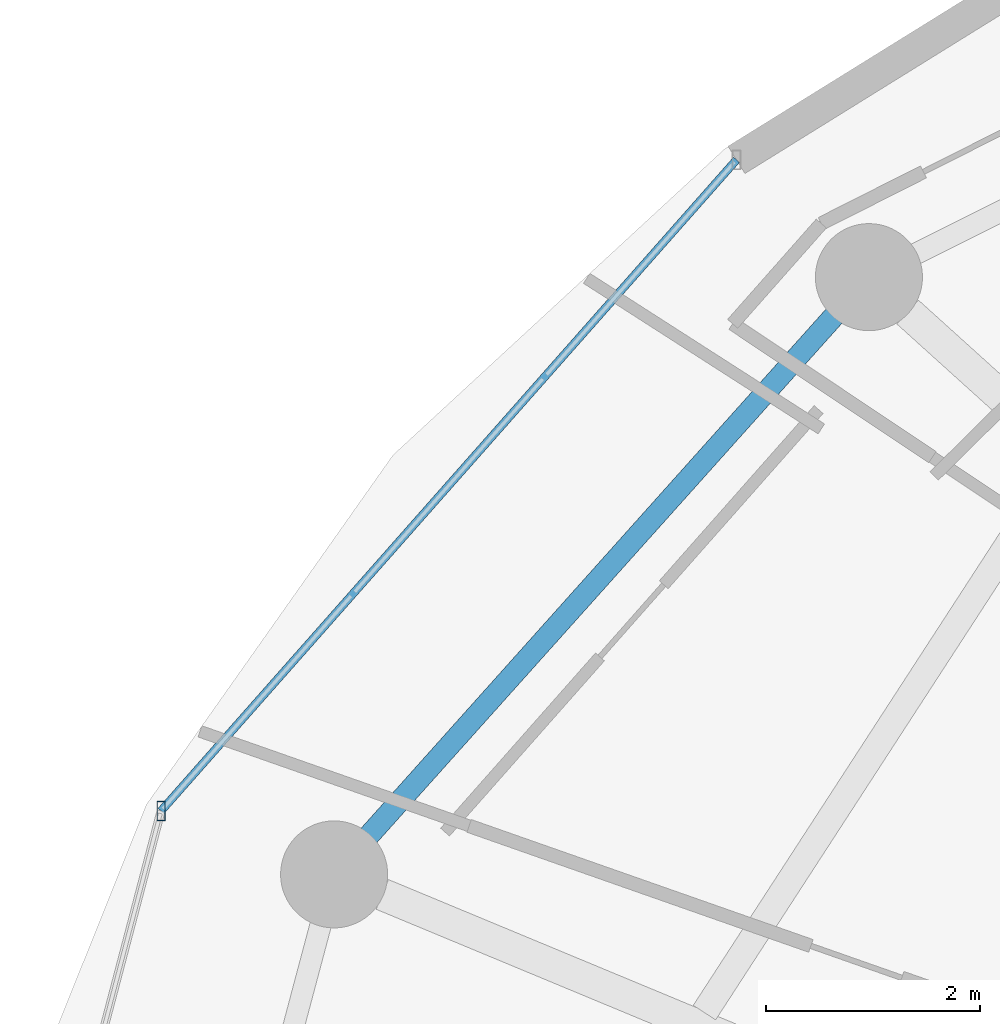
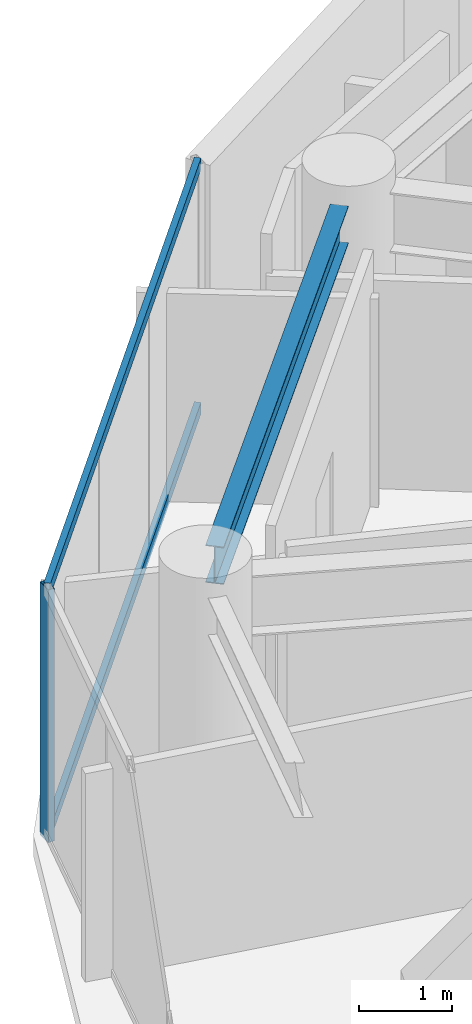
# One storey, part 8 of 28: 3 members, 1 beam, 1 element without a shape of its own.
"""IFC4 building model written with IfcOpenShell, lengths in metres."""

from ifc_helpers import new_model, si_unit, direction, frame, origin, origin_2d, place, context, subcontext, project, spatial, hollow_rectangle, i_section, extrude, material, material_profile, profile_set, type_object, element, aggregate, save


model = new_model("IFC4")

# Units and contexts
model_context = context("Model", 3, precision=1e-05, world=origin(), true_north=direction((0.0, 1.0)))
body_context = subcontext(model_context, "Body", "Model", "MODEL_VIEW")
ifc_project = project(units=[si_unit("LENGTHUNIT", "METRE"), si_unit("AREAUNIT", "SQUARE_METRE"), si_unit("VOLUMEUNIT", "CUBIC_METRE"), si_unit("PLANEANGLEUNIT", "RADIAN"), si_unit("MASSUNIT", "GRAM", prefix="KILO")], contexts=[model_context])

# Site, building, storey
site_placement = place(None, origin())
site = spatial("IfcSite", under=ifc_project, at=site_placement, CompositionType="ELEMENT")
building_placement = place(site_placement, origin())
building = spatial("IfcBuilding", under=site, at=building_placement, Name="Vorneva Point Tower", CompositionType="ELEMENT")
storey_placement = place(building_placement, frame((0.0, 0.0, 160.60009765625)))
storey = spatial("IfcBuildingStorey", under=building, at=storey_placement, Name="L43", CompositionType="ELEMENT", Elevation=160.60009765625)

# Beam
ifc_material_1 = material(Name="Steel S355", Category="steel")
ifc_material_profile_1 = material_profile(ifc_material_1, i_section(OverallWidth=0.199951171875, OverallDepth=0.491943359375, WebThickness=0.0087890625, FlangeThickness=0.011962890625, at=origin_2d()), Name="50B1")
ifc_profile_set_1 = profile_set([ifc_material_profile_1], Name="Steel S355")
beam_type = type_object("IfcBeamType", Name="BM-SPN-50B1", PredefinedType="SPANDREL", material=ifc_profile_set_1)
beam_placement = place(storey_placement, frame((21.377685546875, 37.80078125, 2.993896484375), z_axis=(-0.667111118975, -0.74495822362, 0.0), x_axis=(0.74495822362, -0.667111118975, 0.0)))
element("IfcBeam", 1, at=beam_placement, inside=storey, type_object=beam_type, Name="L43 Perimeter Spandrel Ring Beam 07", PredefinedType="SPANDREL", context=body_context, shape_type="SweptSolid", body=[
    extrude(i_section(OverallWidth=0.199951171875, OverallDepth=0.491943359375, WebThickness=0.0087890625, FlangeThickness=0.011962890625, at=origin_2d()), origin(), (0.0, 0.0, 1.0), 6.52001953125),
])

# Curtain wall, members
ifc_material_2 = material(Name="Pale anodised aluminium", Category="aluminium")
curtain_wall_type = type_object("IfcCurtainWallType", Name="CW-RES-SYS", PredefinedType="NOTDEFINED", material=ifc_material_2)
curtain_wall_placement = place(storey_placement, origin())
curtain_wall = element("IfcCurtainWall", 2, at=curtain_wall_placement, inside=storey, type_object=curtain_wall_type, Name="L43 Unitised Curtain Wall CW-L43-R03", PredefinedType="NOTDEFINED")
ifc_material_profile_2 = material_profile(ifc_material_2, hollow_rectangle(XDim=0.074951171875, YDim=0.179931640625, WallThickness=0.00390625, at=origin_2d()), Name="AL-MUL 180x75x4")
ifc_profile_set_2 = profile_set([ifc_material_profile_2], Name="Pale anodised aluminium")
member_type_1 = type_object("IfcMemberType", Name="CW-MUL-180", PredefinedType="MULLION", material=ifc_profile_set_2)
member_1_placement = place(storey_placement, frame((15.087890625, 33.17529296875, -0.0400390625), z_axis=(0.0, 0.0, 1.0), x_axis=(1.0, 0.0, 0.0)))
member_1 = element("IfcMember", 3, at=member_1_placement, type_object=member_type_1, Name="CW-L43-R03 Mullion 02", PredefinedType="MULLION", context=body_context, shape_type="SweptSolid", body=[
    extrude(hollow_rectangle(XDim=0.074951171875, YDim=0.179931640625, WallThickness=0.00390625, at=origin_2d()), origin(), (0.0, 0.0, 1.0), 3.31005859375),
])
ifc_material_profile_3 = material_profile(ifc_material_2, hollow_rectangle(XDim=0.074951171875, YDim=0.14990234375, WallThickness=0.00390625, at=origin_2d()), Name="AL-TRN 150x75x4")
ifc_profile_set_3 = profile_set([ifc_material_profile_3], Name="Pale anodised aluminium")
member_type_2 = type_object("IfcMemberType", Name="CW-TRN-150", PredefinedType="USERDEFINED", material=ifc_profile_set_3)
member_2_placement = place(storey_placement, frame((20.4638671875, 39.25830078125, 0.02001953125), z_axis=(-0.662218216609, -0.749311039283, 0.0), x_axis=(0.749311039283, -0.662218216609, 0.0)))
member_2 = element("IfcMember", 4, at=member_2_placement, type_object=member_type_2, Name="CW-L43-R03 Transom 01.1", ObjectType="TRANSOM", PredefinedType="USERDEFINED", context=body_context, shape_type="SweptSolid", body=[
    extrude(hollow_rectangle(XDim=0.074951171875, YDim=0.14990234375, WallThickness=0.00390625, at=origin_2d()), origin(), (0.0, 0.0, 1.0), 8.1181640625),
])
member_3_placement = place(storey_placement, frame((20.4638671875, 39.25830078125, 3.219970703125), z_axis=(-0.662218216609, -0.749311039283, 0.0), x_axis=(0.749311039283, -0.662218216609, 0.0)))
member_3 = element("IfcMember", 5, at=member_3_placement, type_object=member_type_2, Name="CW-L43-R03 Transom 01.2", ObjectType="TRANSOM", PredefinedType="USERDEFINED", context=body_context, shape_type="SweptSolid", body=[
    extrude(hollow_rectangle(XDim=0.074951171875, YDim=0.14990234375, WallThickness=0.00390625, at=origin_2d()), origin(), (0.0, 0.0, 1.0), 8.1181640625),
])
aggregate(curtain_wall, [member_1, member_2, member_3])

save(model, "model.ifc")
